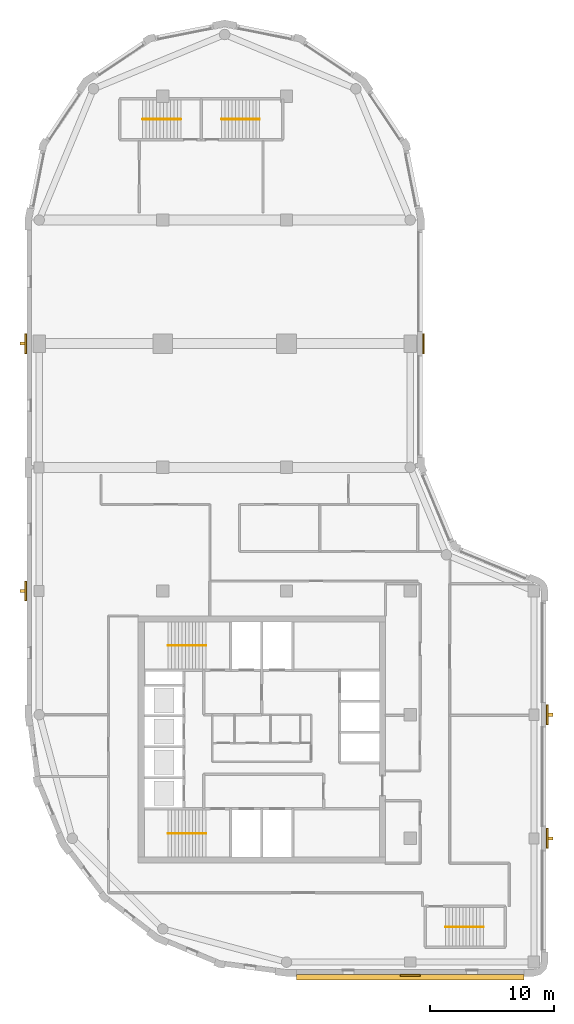
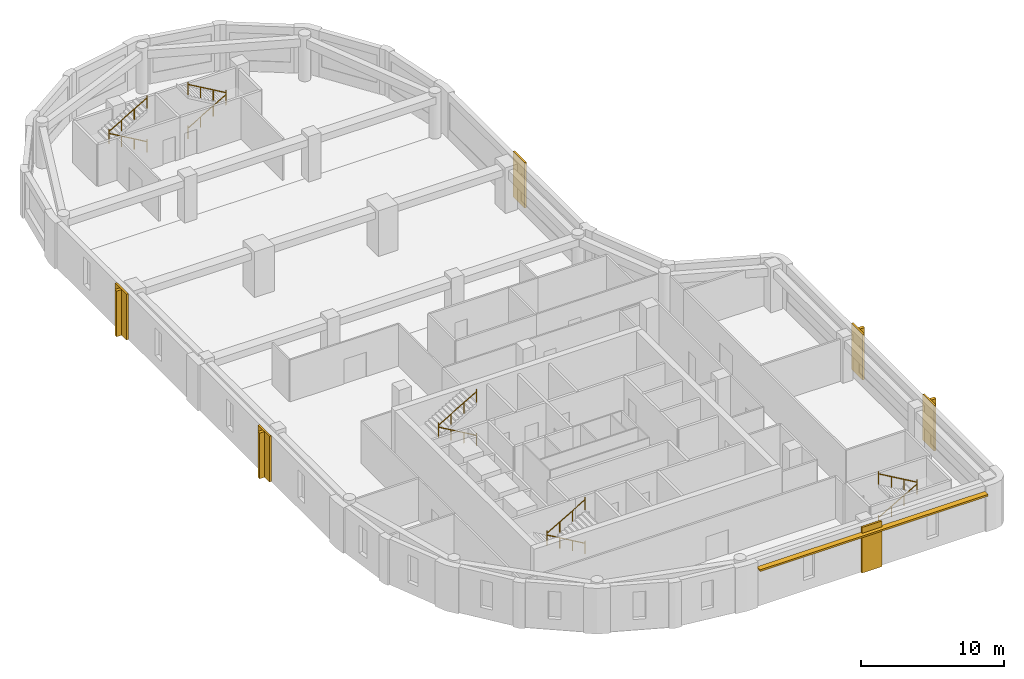
# One storey, part 7 of 8: 10 railings, 6 coverings, 5 shading devices.
"""IFC4 building model written with IfcOpenShell, lengths in metres."""

from ifc_helpers import new_model, si_unit, direction, frame, origin, origin_2d, place, context, subcontext, project, spatial, polyline, rectangle, circle, outline, extrude, material, layer, layer_set, type_object, element, save


model = new_model("IFC4")

# Units and contexts
model_context = context("Model", 3, precision=1e-05, world=origin(), true_north=direction((0.0, 1.0)))
body_context = subcontext(model_context, "Body", "Model", "MODEL_VIEW")
ifc_project = project(units=[si_unit("LENGTHUNIT", "METRE"), si_unit("AREAUNIT", "SQUARE_METRE"), si_unit("VOLUMEUNIT", "CUBIC_METRE"), si_unit("PLANEANGLEUNIT", "RADIAN"), si_unit("MASSUNIT", "GRAM", prefix="KILO")], contexts=[model_context])

# Site, building, storey
site_placement = place(None, origin())
site = spatial("IfcSite", under=ifc_project, at=site_placement, CompositionType="ELEMENT")
building_placement = place(site_placement, origin())
building = spatial("IfcBuilding", under=site, at=building_placement, Name="Qaws Garden Tower", CompositionType="ELEMENT")
storey_placement = place(building_placement, frame((0.0, 0.0, 313.800048828125)))
storey = spatial("IfcBuildingStorey", under=building, at=storey_placement, Name="L76", CompositionType="ELEMENT", Elevation=313.800048828125)

# Coverings
ifc_material_1 = material(Name="Clay facing brick masonry", Category="masonry")
ifc_layer_1 = layer(ifc_material_1, 0.14990234375)
ifc_layer_set_1 = layer_set([ifc_layer_1], Name="Clay facing brick masonry")
covering_type = type_object("IfcCoveringType", Name="Brick pilaster facing 150 x 1600", PredefinedType="CLADDING", material=ifc_layer_set_1)
placement = place(storey_placement, origin())
element("IfcCovering", 1, at=placement, inside=storey, type_object=covering_type, Name="E-L76-pier-01", PredefinedType="CLADDING", context=body_context, shape_type="SweptSolid", body=[
    extrude(outline(polyline([(29.199951171875, -1.0), (30.800048828125, -1.0), (30.800048828125, -1.14990234375), (29.199951171875, -1.14990234375), (29.199951171875, -1.0)])), origin(), (0.0, 0.0, 1.0), 3.89990234375),
])
element("IfcCovering", 2, at=placement, inside=storey, type_object=covering_type, Name="E-L76-pier-03", PredefinedType="CLADDING", context=body_context, shape_type="SweptSolid", body=[
    extrude(outline(polyline([(41.0, 9.199951171875), (41.0, 10.800048828125), (41.14990234375, 10.800048828125), (41.14990234375, 9.199951171875), (41.0, 9.199951171875)])), origin(), (0.0, 0.0, 1.0), 3.89990234375),
])
element("IfcCovering", 3, at=placement, inside=storey, type_object=covering_type, Name="E-L76-pier-04", PredefinedType="CLADDING", context=body_context, shape_type="SweptSolid", body=[
    extrude(outline(polyline([(41.0, 19.199951171875), (41.0, 20.800048828125), (41.14990234375, 20.800048828125), (41.14990234375, 19.199951171875), (41.0, 19.199951171875)])), origin(), (0.0, 0.0, 1.0), 3.89990234375),
])
element("IfcCovering", 4, at=placement, inside=storey, type_object=covering_type, Name="E-L76-pier-08", PredefinedType="CLADDING", context=body_context, shape_type="SweptSolid", body=[
    extrude(outline(polyline([(31.0, 49.199951171875), (31.0, 50.800048828125), (31.14990234375, 50.800048828125), (31.14990234375, 49.199951171875), (31.0, 49.199951171875)])), origin(), (0.0, 0.0, 1.0), 3.89990234375),
])
element("IfcCovering", 5, at=placement, inside=storey, type_object=covering_type, Name="E-L76-pier-18", PredefinedType="CLADDING", context=body_context, shape_type="SweptSolid", body=[
    extrude(outline(polyline([(-1.0, 50.800048828125), (-1.0, 49.199951171875), (-1.14990234375, 49.199951171875), (-1.14990234375, 50.800048828125), (-1.0, 50.800048828125)])), origin(), (0.0, 0.0, 1.0), 3.89990234375),
])
element("IfcCovering", 6, at=placement, inside=storey, type_object=covering_type, Name="E-L76-pier-20", PredefinedType="CLADDING", context=body_context, shape_type="SweptSolid", body=[
    extrude(outline(polyline([(-1.0, 30.800048828125), (-1.0, 29.199951171875), (-1.14990234375, 29.199951171875), (-1.14990234375, 30.800048828125), (-1.0, 30.800048828125)])), origin(), (0.0, 0.0, 1.0), 3.89990234375),
])

# Shading devices
ifc_material_2 = material(Name="Clay facing brick masonry", Category="masonry")
ifc_layer_2 = layer(ifc_material_2, 0.14990234375)
ifc_layer_set_2 = layer_set([ifc_layer_2], Name="Clay facing brick masonry")
shading_device_type_1 = type_object("IfcShadingDeviceType", Name="Brick sunshade band 450 x 150", PredefinedType="JALOUSIE", material=ifc_layer_set_2)
shading_device_placement = place(storey_placement, frame((0.0, 0.0, 3.25)))
element("IfcShadingDevice", 7, at=shading_device_placement, inside=storey, type_object=shading_device_type_1, Name="SUNSHADE 00", PredefinedType="JALOUSIE", context=body_context, shape_type="SweptSolid", body=[
    extrude(outline(polyline([(20.800048828125, -1.0), (20.800048828125, -1.449951171875), (39.199951171875, -1.449951171875), (39.199951171875, -1.0), (30.800048828125, -1.0), (30.800048828125, -1.14990234375), (29.199951171875, -1.14990234375), (29.199951171875, -1.0), (20.800048828125, -1.0)])), origin(), (0.0, 0.0, 1.0), 0.14990234375),
])
ifc_material_3 = material(Name="Clay facing brick masonry", Category="masonry")
ifc_layer_3 = layer(ifc_material_3, 0.25)
ifc_layer_set_3 = layer_set([ifc_layer_3], Name="Clay facing brick masonry")
shading_device_type_2 = type_object("IfcShadingDeviceType", Name="Brick-faced fin 250 x 400", PredefinedType="USERDEFINED", material=ifc_layer_set_3)
for number, where, z_axis, x_axis, name in (
    (8, (41.35009765625, 10.0, 0.0), (0.0, 0.0, 1.0), (0.0, 1.0, 0.0), "FIN 03"),
    (9, (41.35009765625, 20.0, 0.0), (0.0, 0.0, 1.0), (0.0, 1.0, 0.0), "FIN 04"),
    (10, (-1.35009765625, 50.0, 0.0), (0.0, 0.0, 1.0), (0.0, -1.0, 0.0), "FIN 18"),
    (11, (-1.35009765625, 30.0, 0.0), (0.0, 0.0, 1.0), (0.0, -1.0, 0.0), "FIN 20"),
):
    element("IfcShadingDevice", number, at=place(storey_placement, frame(where, z_axis=z_axis, x_axis=x_axis)), inside=storey, type_object=shading_device_type_2, Name=name, ObjectType="FIN", PredefinedType="USERDEFINED", context=body_context, shape_type="SweptSolid", body=[
        extrude(rectangle(XDim=0.25, YDim=0.39990234375, at=origin_2d()), origin(), (0.0, 0.0, 1.0), 3.89990234375),
    ])

# Railings
ifc_material_4 = material(Name="Steel S355", Category="steel")
railing_type = type_object("IfcRailingType", Name="Stair handrail 900", PredefinedType="HANDRAIL", material=ifc_material_4)
railing_1_placement = place(storey_placement, frame((13.5, 10.39990234375, 0.162353515625)))
element("IfcRailing", 12, at=railing_1_placement, inside=storey, type_object=railing_type, Name="Stair 1 handrail", PredefinedType="HANDRAIL", context=body_context, shape_type="SweptSolid", body=[
    extrude(circle(Radius=0.02392578125, at=origin_2d()), frame((0.0, 0.0, 0.8759765625), z_axis=(-0.864890721111, 0.0, 0.501960198159), x_axis=(0.0, -1.0, 0.0)), (0.0, 0.0, 1.0), 3.561279296875),
    extrude(circle(Radius=0.02099609375, at=origin_2d()), origin(), (0.0, 0.0, 1.0), 1.06201171875),
    extrude(circle(Radius=0.02099609375, at=origin_2d()), frame((-1.026611328125, 0.0, 0.595947265625)), (0.0, 0.0, 1.0), 0.851806640625),
    extrude(circle(Radius=0.02099609375, at=origin_2d()), frame((-2.053466796875, 0.0, 1.191650390625)), (0.0, 0.0, 1.0), 0.851806640625),
    extrude(circle(Radius=0.02099609375, at=origin_2d()), frame((-3.080078125, 0.0, 1.78759765625)), (0.0, 0.0, 1.0), 1.06201171875),
])
railing_2_placement = place(storey_placement, frame((10.419921875, 10.39990234375, 2.112548828125)))
element("IfcRailing", 13, at=railing_2_placement, inside=storey, type_object=railing_type, Name="Stair 1 handrail", PredefinedType="HANDRAIL", context=body_context, shape_type="SweptSolid", body=[
    extrude(circle(Radius=0.02392578125, at=origin_2d()), frame((0.0, 0.0, 0.8759765625), z_axis=(0.864920483161, 0.0, 0.501908913857), x_axis=(0.0, 1.0, 0.0)), (0.0, 0.0, 1.0), 3.56103515625),
    extrude(circle(Radius=0.02099609375, at=origin_2d()), origin(), (0.0, 0.0, 1.0), 1.06201171875),
    extrude(circle(Radius=0.02099609375, at=origin_2d()), frame((1.026611328125, 0.0, 0.595703125)), (0.0, 0.0, 1.0), 0.851806640625),
    extrude(circle(Radius=0.02099609375, at=origin_2d()), frame((2.053466796875, 0.0, 1.191650390625)), (0.0, 0.0, 1.0), 0.851806640625),
    extrude(circle(Radius=0.02099609375, at=origin_2d()), frame((3.080078125, 0.0, 1.787353515625)), (0.0, 0.0, 1.0), 1.06201171875),
])
railing_3_placement = place(storey_placement, frame((13.5, 25.60009765625, 0.162353515625)))
element("IfcRailing", 14, at=railing_3_placement, inside=storey, type_object=railing_type, Name="Stair 4 handrail", PredefinedType="HANDRAIL", context=body_context, shape_type="SweptSolid", body=[
    extrude(circle(Radius=0.02392578125, at=origin_2d()), frame((0.0, 0.0, 0.8759765625), z_axis=(-0.864890721111, 0.0, 0.501960198159), x_axis=(0.0, -1.0, 0.0)), (0.0, 0.0, 1.0), 3.561279296875),
    extrude(circle(Radius=0.02099609375, at=origin_2d()), origin(), (0.0, 0.0, 1.0), 1.06201171875),
    extrude(circle(Radius=0.02099609375, at=origin_2d()), frame((-1.026611328125, 0.0, 0.595947265625)), (0.0, 0.0, 1.0), 0.851806640625),
    extrude(circle(Radius=0.02099609375, at=origin_2d()), frame((-2.053466796875, 0.0, 1.191650390625)), (0.0, 0.0, 1.0), 0.851806640625),
    extrude(circle(Radius=0.02099609375, at=origin_2d()), frame((-3.080078125, 0.0, 1.78759765625)), (0.0, 0.0, 1.0), 1.06201171875),
])
railing_4_placement = place(storey_placement, frame((10.419921875, 25.60009765625, 2.112548828125)))
element("IfcRailing", 15, at=railing_4_placement, inside=storey, type_object=railing_type, Name="Stair 4 handrail", PredefinedType="HANDRAIL", context=body_context, shape_type="SweptSolid", body=[
    extrude(circle(Radius=0.02392578125, at=origin_2d()), frame((0.0, 0.0, 0.8759765625), z_axis=(0.864920483161, 0.0, 0.501908913857), x_axis=(0.0, 1.0, 0.0)), (0.0, 0.0, 1.0), 3.56103515625),
    extrude(circle(Radius=0.02099609375, at=origin_2d()), origin(), (0.0, 0.0, 1.0), 1.06201171875),
    extrude(circle(Radius=0.02099609375, at=origin_2d()), frame((1.026611328125, 0.0, 0.595703125)), (0.0, 0.0, 1.0), 0.851806640625),
    extrude(circle(Radius=0.02099609375, at=origin_2d()), frame((2.053466796875, 0.0, 1.191650390625)), (0.0, 0.0, 1.0), 0.851806640625),
    extrude(circle(Radius=0.02099609375, at=origin_2d()), frame((3.080078125, 0.0, 1.787353515625)), (0.0, 0.0, 1.0), 1.06201171875),
])
railing_5_placement = place(storey_placement, frame((32.85009765625, 2.85009765625, 0.162353515625)))
element("IfcRailing", 16, at=railing_5_placement, inside=storey, type_object=railing_type, Name="Stair 5 handrail", PredefinedType="HANDRAIL", context=body_context, shape_type="SweptSolid", body=[
    extrude(circle(Radius=0.02392578125, at=origin_2d()), frame((0.0, 0.0, 0.8759765625), z_axis=(0.864873446163, 0.0, 0.501989962173), x_axis=(0.0, 1.0, 0.0)), (0.0, 0.0, 1.0), 3.56103515625),
    extrude(circle(Radius=0.02099609375, at=origin_2d()), origin(), (0.0, 0.0, 1.0), 1.06201171875),
    extrude(circle(Radius=0.02099609375, at=origin_2d()), frame((1.026611328125, 0.0, 0.595947265625)), (0.0, 0.0, 1.0), 0.851806640625),
    extrude(circle(Radius=0.02099609375, at=origin_2d()), frame((2.05322265625, 0.0, 1.191650390625)), (0.0, 0.0, 1.0), 0.851806640625),
    extrude(circle(Radius=0.02099609375, at=origin_2d()), frame((3.079833984375, 0.0, 1.78759765625)), (0.0, 0.0, 1.0), 1.06201171875),
])
railing_6_placement = place(storey_placement, frame((35.929931640625, 2.85009765625, 2.112548828125)))
element("IfcRailing", 17, at=railing_6_placement, inside=storey, type_object=railing_type, Name="Stair 5 handrail", PredefinedType="HANDRAIL", context=body_context, shape_type="SweptSolid", body=[
    extrude(circle(Radius=0.02392578125, at=origin_2d()), frame((0.0, 0.0, 0.8759765625), z_axis=(-0.864903211148, 0.0, 0.501938676878), x_axis=(0.0, -1.0, 0.0)), (0.0, 0.0, 1.0), 3.560791015625),
    extrude(circle(Radius=0.02099609375, at=origin_2d()), origin(), (0.0, 0.0, 1.0), 1.06201171875),
    extrude(circle(Radius=0.02099609375, at=origin_2d()), frame((-1.026611328125, 0.0, 0.595703125)), (0.0, 0.0, 1.0), 0.851806640625),
    extrude(circle(Radius=0.02099609375, at=origin_2d()), frame((-2.05322265625, 0.0, 1.191650390625)), (0.0, 0.0, 1.0), 0.851806640625),
    extrude(circle(Radius=0.02099609375, at=origin_2d()), frame((-3.079833984375, 0.0, 1.787353515625)), (0.0, 0.0, 1.0), 1.06201171875),
])
railing_7_placement = place(storey_placement, frame((11.449951171875, 68.14990234375, 0.162353515625)))
element("IfcRailing", 18, at=railing_7_placement, inside=storey, type_object=railing_type, Name="Stair 6 handrail", PredefinedType="HANDRAIL", context=body_context, shape_type="SweptSolid", body=[
    extrude(circle(Radius=0.02392578125, at=origin_2d()), frame((0.0, 0.0, 0.8759765625), z_axis=(-0.864873446163, 0.0, 0.501989962173), x_axis=(0.0, -1.0, 0.0)), (0.0, 0.0, 1.0), 3.56103515625),
    extrude(circle(Radius=0.02099609375, at=origin_2d()), origin(), (0.0, 0.0, 1.0), 1.06201171875),
    extrude(circle(Radius=0.02099609375, at=origin_2d()), frame((-1.026611328125, 0.0, 0.595947265625)), (0.0, 0.0, 1.0), 0.851806640625),
    extrude(circle(Radius=0.02099609375, at=origin_2d()), frame((-2.05322265625, 0.0, 1.191650390625)), (0.0, 0.0, 1.0), 0.851806640625),
    extrude(circle(Radius=0.02099609375, at=origin_2d()), frame((-3.079833984375, 0.0, 1.78759765625)), (0.0, 0.0, 1.0), 1.06201171875),
])
railing_8_placement = place(storey_placement, frame((8.3701171875, 68.14990234375, 2.112548828125)))
element("IfcRailing", 19, at=railing_8_placement, inside=storey, type_object=railing_type, Name="Stair 6 handrail", PredefinedType="HANDRAIL", context=body_context, shape_type="SweptSolid", body=[
    extrude(circle(Radius=0.02392578125, at=origin_2d()), frame((0.0, 0.0, 0.8759765625), z_axis=(0.864903211148, 0.0, 0.501938676878), x_axis=(0.0, 1.0, 0.0)), (0.0, 0.0, 1.0), 3.560791015625),
    extrude(circle(Radius=0.02099609375, at=origin_2d()), origin(), (0.0, 0.0, 1.0), 1.06201171875),
    extrude(circle(Radius=0.02099609375, at=origin_2d()), frame((1.026611328125, 0.0, 0.595703125)), (0.0, 0.0, 1.0), 0.851806640625),
    extrude(circle(Radius=0.02099609375, at=origin_2d()), frame((2.05322265625, 0.0, 1.191650390625)), (0.0, 0.0, 1.0), 0.851806640625),
    extrude(circle(Radius=0.02099609375, at=origin_2d()), frame((3.079833984375, 0.0, 1.787353515625)), (0.0, 0.0, 1.0), 1.06201171875),
])
railing_9_placement = place(storey_placement, frame((14.75, 68.14990234375, 0.162353515625)))
element("IfcRailing", 20, at=railing_9_placement, inside=storey, type_object=railing_type, Name="Stair 7 handrail", PredefinedType="HANDRAIL", context=body_context, shape_type="SweptSolid", body=[
    extrude(circle(Radius=0.02392578125, at=origin_2d()), frame((0.0, 0.0, 0.8759765625), z_axis=(0.864890721111, 0.0, 0.501960198159), x_axis=(0.0, 1.0, 0.0)), (0.0, 0.0, 1.0), 3.561279296875),
    extrude(circle(Radius=0.02099609375, at=origin_2d()), origin(), (0.0, 0.0, 1.0), 1.06201171875),
    extrude(circle(Radius=0.02099609375, at=origin_2d()), frame((1.026611328125, 0.0, 0.595947265625)), (0.0, 0.0, 1.0), 0.851806640625),
    extrude(circle(Radius=0.02099609375, at=origin_2d()), frame((2.053466796875, 0.0, 1.191650390625)), (0.0, 0.0, 1.0), 0.851806640625),
    extrude(circle(Radius=0.02099609375, at=origin_2d()), frame((3.080078125, 0.0, 1.78759765625)), (0.0, 0.0, 1.0), 1.06201171875),
])
railing_10_placement = place(storey_placement, frame((17.830078125, 68.14990234375, 2.112548828125)))
element("IfcRailing", 21, at=railing_10_placement, inside=storey, type_object=railing_type, Name="Stair 7 handrail", PredefinedType="HANDRAIL", context=body_context, shape_type="SweptSolid", body=[
    extrude(circle(Radius=0.02392578125, at=origin_2d()), frame((0.0, 0.0, 0.8759765625), z_axis=(-0.864920483161, 0.0, 0.501908913857), x_axis=(0.0, -1.0, 0.0)), (0.0, 0.0, 1.0), 3.56103515625),
    extrude(circle(Radius=0.02099609375, at=origin_2d()), origin(), (0.0, 0.0, 1.0), 1.06201171875),
    extrude(circle(Radius=0.02099609375, at=origin_2d()), frame((-1.026611328125, 0.0, 0.595703125)), (0.0, 0.0, 1.0), 0.851806640625),
    extrude(circle(Radius=0.02099609375, at=origin_2d()), frame((-2.053466796875, 0.0, 1.191650390625)), (0.0, 0.0, 1.0), 0.851806640625),
    extrude(circle(Radius=0.02099609375, at=origin_2d()), frame((-3.080078125, 0.0, 1.787353515625)), (0.0, 0.0, 1.0), 1.06201171875),
])

save(model, "model.ifc")
